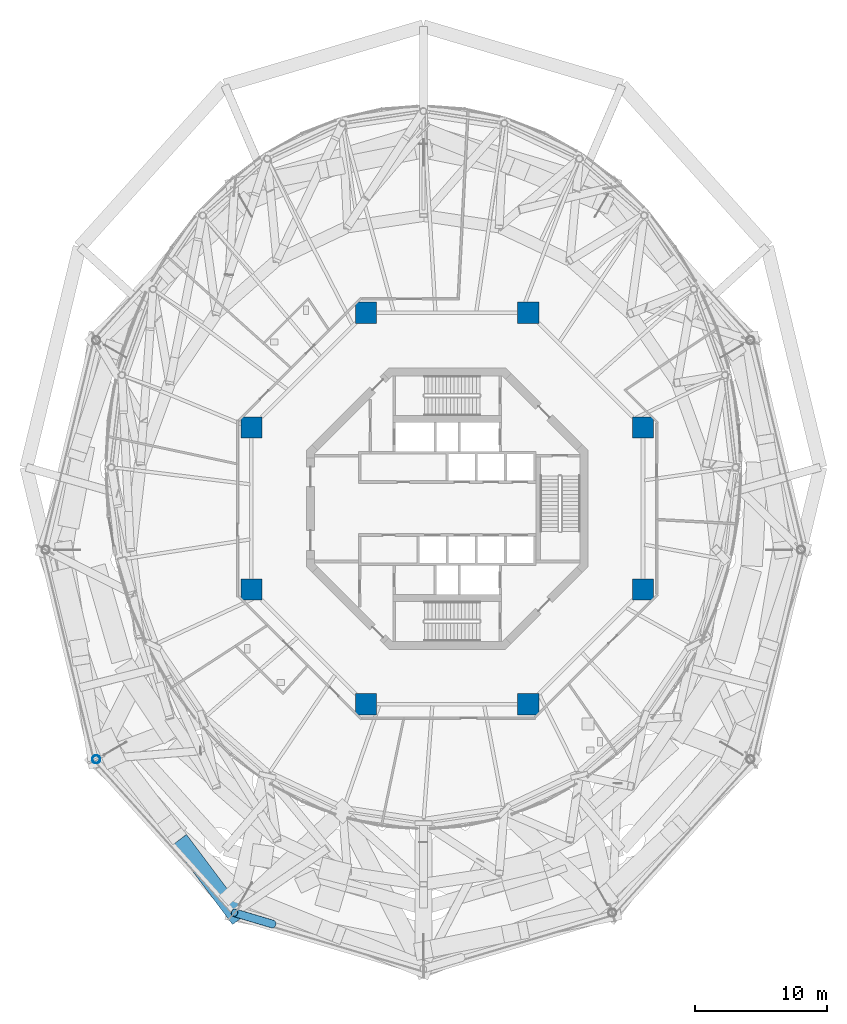
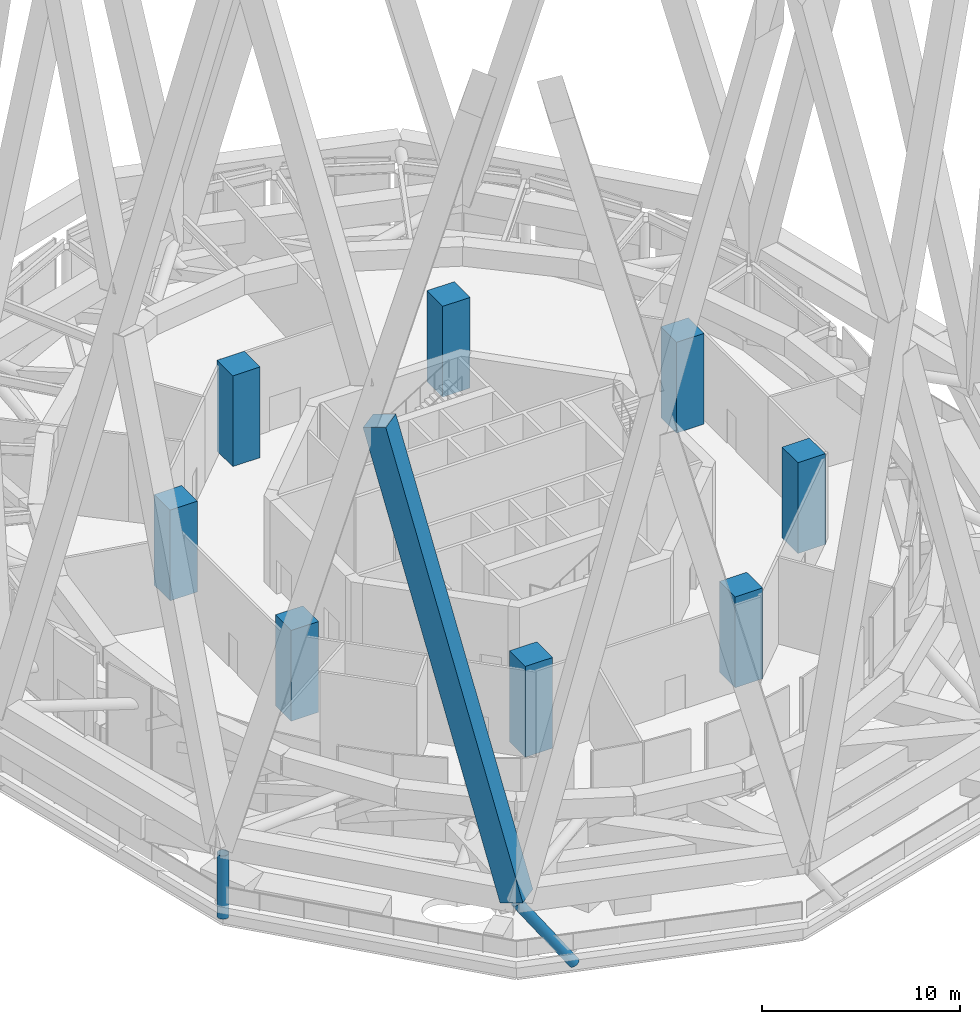
# One storey, part 1 of 48: 8 columns, 3 members.
"""IFC4 building model written with IfcOpenShell, lengths in metres."""

from ifc_helpers import new_model, si_unit, direction, frame, origin, origin_2d, place, context, subcontext, project, spatial, rectangle, hollow_circle, extrude, material, material_profile, profile_set, type_object, element, save


model = new_model("IFC4")

# Units and contexts
model_context = context("Model", 3, precision=1e-05, world=origin(), true_north=direction((0.0, 1.0)))
body_context = subcontext(model_context, "Body", "Model", "MODEL_VIEW")
ifc_project = project(units=[si_unit("LENGTHUNIT", "METRE"), si_unit("AREAUNIT", "SQUARE_METRE"), si_unit("VOLUMEUNIT", "CUBIC_METRE"), si_unit("PLANEANGLEUNIT", "RADIAN"), si_unit("MASSUNIT", "GRAM", prefix="KILO")], contexts=[model_context])

# Site, building, storey
site_placement = place(None, origin())
site = spatial("IfcSite", under=ifc_project, at=site_placement, CompositionType="ELEMENT")
building_placement = place(site_placement, origin())
building = spatial("IfcBuilding", under=site, at=building_placement, Name="Nagisa Residences", CompositionType="ELEMENT")
storey_placement = place(building_placement, frame((0.0, 0.0, 252.89990234375)))
storey = spatial("IfcBuildingStorey", under=building, at=storey_placement, Name="L64", CompositionType="ELEMENT", Elevation=252.89990234375)

# Columns
ifc_material_1 = material(Name="Concrete C80", Category="concrete")
ifc_material_profile_1 = material_profile(ifc_material_1, rectangle(XDim=1.60009765625, YDim=1.60009765625, at=origin_2d()), Name="C80 1600x1600")
ifc_profile_set_1 = profile_set([ifc_material_profile_1], Name="Concrete C80")
column_type = type_object("IfcColumnType", Name="Inner megacolumn C80 1600x1600", PredefinedType="COLUMN", material=ifc_profile_set_1)
for number, where, z_axis, x_axis, name in (
    (1, (14.781982421875, 6.123046875, 0.0), (0.0, 0.0, 1.0), (1.0, 0.0, 0.0), "col:L64:i1"),
    (2, (6.123046875, 14.781982421875, 0.0), (0.0, 0.0, 1.0), (1.0, 0.0, 0.0), "col:L64:i2"),
    (3, (-6.123046875, 14.781982421875, 0.0), (0.0, 0.0, 1.0), (1.0, 0.0, 0.0), "col:L64:i3"),
    (4, (-14.781982421875, 6.123046875, 0.0), (0.0, 0.0, 1.0), (1.0, 0.0, 0.0), "col:L64:i4"),
    (5, (-14.781982421875, -6.123046875, 0.0), (0.0, 0.0, 1.0), (1.0, 0.0, 0.0), "col:L64:i5"),
    (6, (-6.123046875, -14.781982421875, 0.0), (0.0, 0.0, 1.0), (1.0, 0.0, 0.0), "col:L64:i6"),
    (7, (6.123046875, -14.781982421875, 0.0), (0.0, 0.0, 1.0), (1.0, 0.0, 0.0), "col:L64:i7"),
    (8, (14.781982421875, -6.123046875, 0.0), (0.0, 0.0, 1.0), (1.0, 0.0, 0.0), "col:L64:i8"),
):
    element("IfcColumn", number, at=place(storey_placement, frame(where, z_axis=z_axis, x_axis=x_axis)), inside=storey, type_object=column_type, Name=name, PredefinedType="COLUMN", context=body_context, shape_type="SweptSolid", body=[
        extrude(rectangle(XDim=1.60009765625, YDim=1.60009765625, at=origin_2d()), origin(), (0.0, 0.0, 1.0), 5.60009765625),
    ])

# Members
ifc_material_2 = material(Name="Concrete C80", Category="concrete")
ifc_material_profile_2 = material_profile(ifc_material_2, rectangle(XDim=1.300048828125, YDim=1.300048828125, at=origin_2d()), Name="C80 1300x1300")
ifc_profile_set_2 = profile_set([ifc_material_profile_2], Name="Concrete C80")
member_type_1 = type_object("IfcMemberType", Name="Cage diagonal 6 C80 1300x1300", PredefinedType="BRACE", material=ifc_profile_set_2)
member_1_placement = place(storey_placement, frame((-16.06005859375, -30.518798828125, 3.7001953125), z_axis=(-0.159953241642, 0.212908283093, 0.963890566132), x_axis=(-0.799509403417, -0.600653572243, 0.0)))
element("IfcMember", 9, at=member_1_placement, inside=storey, type_object=member_type_1, Name="mem:L64:cg6d016a", PredefinedType="BRACE", context=body_context, shape_type="SweptSolid", body=[
    extrude(rectangle(XDim=1.300048828125, YDim=1.300048828125, at=origin_2d()), origin(), (0.0, 0.0, 1.0), 28.2705078125),
])
ifc_material_3 = material(Name="Steel ASTM A572 Gr 65", Category="steel")
ifc_material_profile_3 = material_profile(ifc_material_3, hollow_circle(Radius=0.304931640625, WallThickness=0.02490234375, at=origin_2d()), Name="CHS 610x25")
ifc_profile_set_3 = profile_set([ifc_material_profile_3], Name="Steel ASTM A572 Gr 65")
member_type_2 = type_object("IfcMemberType", Name="Deck hanger CHS 610x25", PredefinedType="POST", material=ifc_profile_set_3)
member_2_placement = place(storey_placement, frame((-26.4990234375, -18.937744140625, 3.0), z_axis=(0.0, 0.0, -1.0), x_axis=(1.0, 0.0, 0.0)))
element("IfcMember", 10, at=member_2_placement, inside=storey, type_object=member_type_2, Name="mem:L64:deckhanger05", PredefinedType="POST", context=body_context, shape_type="SweptSolid", body=[
    extrude(hollow_circle(Radius=0.304931640625, WallThickness=0.02490234375, at=origin_2d()), origin(), (0.0, 0.0, 1.0), 3.889892578125),
])
ifc_material_4 = material(Name="Steel ASTM A572 Gr 65", Category="steel")
ifc_material_profile_4 = material_profile(ifc_material_4, hollow_circle(Radius=0.304931640625, WallThickness=0.02490234375, at=origin_2d()), Name="CHS 610x25")
ifc_profile_set_4 = profile_set([ifc_material_profile_4], Name="Steel ASTM A572 Gr 65")
member_type_3 = type_object("IfcMemberType", Name="Raked deck hanger CHS 610x25", PredefinedType="BRACE", material=ifc_profile_set_4)
member_3_placement = place(storey_placement, frame((-16.06005859375, -30.518798828125, 3.35009765625), z_axis=(0.553661309339, -0.164561358689, -0.816320227464), x_axis=(0.284905601686, 0.95855557905, 0.0)))
element("IfcMember", 11, at=member_3_placement, inside=storey, type_object=member_type_3, Name="mem:L64:deckhanger06", PredefinedType="BRACE", context=body_context, shape_type="SweptSolid", body=[
    extrude(hollow_circle(Radius=0.304931640625, WallThickness=0.02490234375, at=origin_2d()), origin(), (0.0, 0.0, 1.0), 5.194091796875),
])

save(model, "model.ifc")
